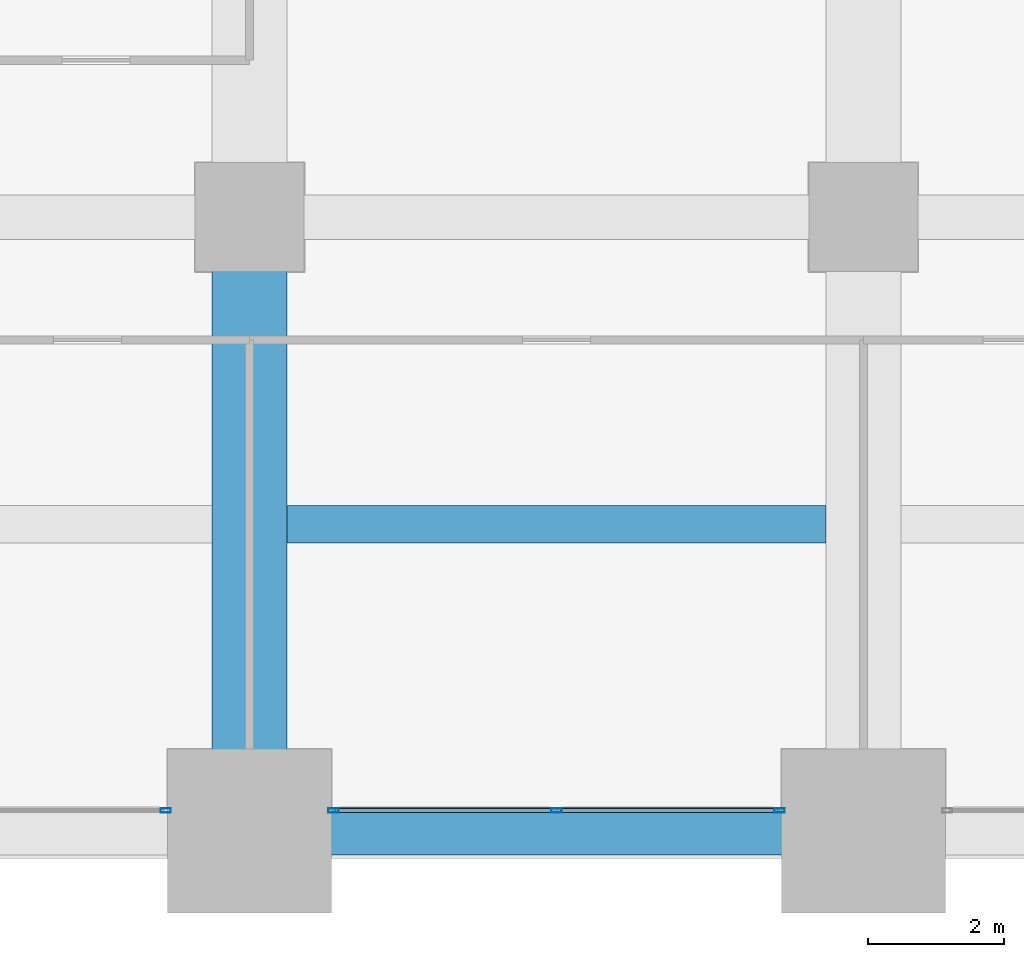
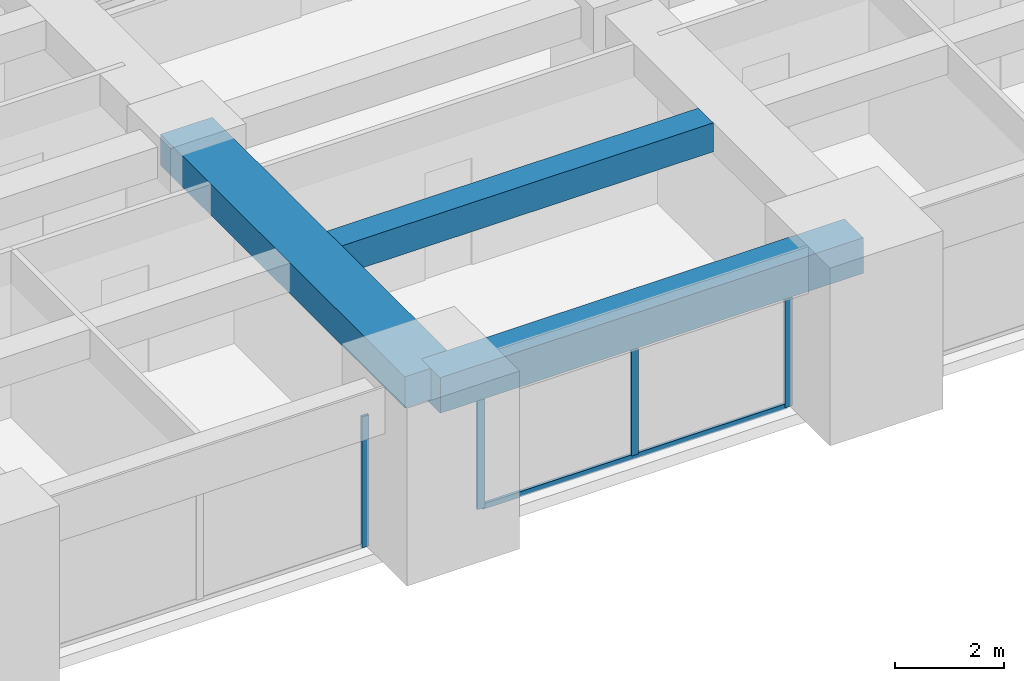
# One storey, part 6 of 34: 5 members, 3 beams, 2 elements without a shape of their own.
"""IFC4 building model written with IfcOpenShell, lengths in metres."""

from ifc_helpers import new_model, si_unit, direction, frame, origin, origin_2d, place, context, subcontext, project, spatial, rectangle, hollow_rectangle, extrude, material, material_profile, profile_set, type_object, element, aggregate, save


model = new_model("IFC4")

# Units and contexts
model_context = context("Model", 3, precision=1e-05, world=origin(), true_north=direction((0.0, 1.0)))
body_context = subcontext(model_context, "Body", "Model", "MODEL_VIEW")
ifc_project = project(units=[si_unit("LENGTHUNIT", "METRE"), si_unit("AREAUNIT", "SQUARE_METRE"), si_unit("VOLUMEUNIT", "CUBIC_METRE"), si_unit("PLANEANGLEUNIT", "RADIAN"), si_unit("MASSUNIT", "GRAM", prefix="KILO")], contexts=[model_context])

# Site, building, storey
site_placement = place(None, origin())
site = spatial("IfcSite", under=ifc_project, at=site_placement, CompositionType="ELEMENT")
building_placement = place(site_placement, origin())
building = spatial("IfcBuilding", under=site, at=building_placement, Name="Zorevar Civic Tower", CompositionType="ELEMENT")
storey_placement = place(building_placement, frame((0.0, 0.0, 170.199951171875)))
storey = spatial("IfcBuildingStorey", under=building, at=storey_placement, Name="L41", CompositionType="ELEMENT", Elevation=170.199951171875)

# Beams
ifc_material_1 = material(Name="Concrete C50/60", Category="concrete")
ifc_material_profile_1 = material_profile(ifc_material_1, rectangle(XDim=1.10009765625, YDim=0.699951171875, at=origin_2d()), Name="RC 1100x700")
ifc_profile_set_1 = profile_set([ifc_material_profile_1], Name="Concrete C50/60")
beam_type_1 = type_object("IfcBeamType", Name="Beam RC 1100x700", PredefinedType="BEAM", material=ifc_profile_set_1)
beam_1_placement = place(storey_placement, frame((18.0, 0.0, 3.400146484375), z_axis=(0.0, 1.0, 0.0), x_axis=(-1.0, 0.0, 0.0)))
element("IfcBeam", 1, at=beam_1_placement, inside=storey, type_object=beam_type_1, Name="Girder L42", PredefinedType="BEAM", context=body_context, shape_type="SweptSolid", body=[
    extrude(rectangle(XDim=1.10009765625, YDim=0.699951171875, at=origin_2d()), origin(), (0.0, 0.0, 1.0), 9.0),
])
ifc_material_2 = material(Name="Concrete C50/60", Category="concrete")
ifc_material_profile_2 = material_profile(ifc_material_2, rectangle(XDim=0.550048828125, YDim=0.64990234375, at=origin_2d()), Name="RC 550x650")
ifc_profile_set_2 = profile_set([ifc_material_profile_2], Name="Concrete C50/60")
beam_type_2 = type_object("IfcBeamType", Name="Beam RC 550x650", PredefinedType="BEAM", material=ifc_profile_set_2)
beam_2_placement = place(storey_placement, frame((18.550048828125, 4.5, 3.425048828125), z_axis=(1.0, 0.0, 0.0), x_axis=(0.0, 1.0, 0.0)))
element("IfcBeam", 2, at=beam_2_placement, inside=storey, type_object=beam_type_2, Name="Secondary beam L42", PredefinedType="BEAM", context=body_context, shape_type="SweptSolid", body=[
    extrude(rectangle(XDim=0.550048828125, YDim=0.64990234375, at=origin_2d()), origin(), (0.0, 0.0, 1.0), 7.89990234375),
])

# Curtain wall, member
ifc_material_3 = material(Name="Dark grey solar-control glass in black aluminium frame", Category="aluminium")
curtain_wall_type = type_object("IfcCurtainWallType", Name="Curtain wall CW4 high zone", PredefinedType="NOTDEFINED", material=ifc_material_3)
curtain_wall_1_placement = place(storey_placement, origin())
curtain_wall_1 = element("IfcCurtainWall", 3, at=curtain_wall_1_placement, inside=storey, type_object=curtain_wall_type, Name="CW4 L41", PredefinedType="NOTDEFINED")
ifc_material_4 = material(Name="Aluminium, black anodised", Category="aluminium")
ifc_material_profile_3 = material_profile(ifc_material_4, hollow_rectangle(XDim=0.06005859375, YDim=0.14990234375, WallThickness=0.00390625, at=origin_2d()), Name="AL 150x60x4")
ifc_profile_set_3 = profile_set([ifc_material_profile_3], Name="Aluminium, black anodised")
member_type_1 = type_object("IfcMemberType", Name="CW4 mullion AL 150x60x4", PredefinedType="MULLION", material=ifc_profile_set_3)
member_1_placement = place(storey_placement, frame((16.77001953125, 0.300048828125, 0.0), z_axis=(0.0, 0.0, 1.0), x_axis=(0.0, 1.0, 0.0)))
member_1 = element("IfcMember", 4, at=member_1_placement, type_object=member_type_1, Name="CW4 mullion 3", PredefinedType="MULLION", context=body_context, shape_type="SweptSolid", body=[
    extrude(hollow_rectangle(XDim=0.06005859375, YDim=0.14990234375, WallThickness=0.00390625, at=origin_2d()), origin(), (0.0, 0.0, 1.0), 2.949951171875),
])
aggregate(curtain_wall_1, [member_1])

# Curtain wall, members
curtain_wall_2_placement = place(storey_placement, origin())
curtain_wall_2 = element("IfcCurtainWall", 5, at=curtain_wall_2_placement, inside=storey, type_object=curtain_wall_type, Name="CW4 L41", PredefinedType="NOTDEFINED")
member_2_placement = place(storey_placement, frame((19.22998046875, 0.300048828125, 0.0), z_axis=(0.0, 0.0, 1.0), x_axis=(0.0, 1.0, 0.0)))
member_2 = element("IfcMember", 6, at=member_2_placement, type_object=member_type_1, Name="CW4 mullion 1", PredefinedType="MULLION", context=body_context, shape_type="SweptSolid", body=[
    extrude(hollow_rectangle(XDim=0.06005859375, YDim=0.14990234375, WallThickness=0.00390625, at=origin_2d()), origin(), (0.0, 0.0, 1.0), 2.949951171875),
])
member_3_placement = place(storey_placement, frame((22.5, 0.300048828125, 0.06005859375), z_axis=(0.0, 0.0, 1.0), x_axis=(0.0, 1.0, 0.0)))
member_3 = element("IfcMember", 7, at=member_3_placement, type_object=member_type_1, Name="CW4 mullion 2", PredefinedType="MULLION", context=body_context, shape_type="SweptSolid", body=[
    extrude(hollow_rectangle(XDim=0.06005859375, YDim=0.14990234375, WallThickness=0.00390625, at=origin_2d()), origin(), (0.0, 0.0, 1.0), 2.889892578125),
])
member_4_placement = place(storey_placement, frame((25.77001953125, 0.300048828125, 0.0), z_axis=(0.0, 0.0, 1.0), x_axis=(0.0, 1.0, 0.0)))
member_4 = element("IfcMember", 8, at=member_4_placement, type_object=member_type_1, Name="CW4 mullion 3", PredefinedType="MULLION", context=body_context, shape_type="SweptSolid", body=[
    extrude(hollow_rectangle(XDim=0.06005859375, YDim=0.14990234375, WallThickness=0.00390625, at=origin_2d()), origin(), (0.0, 0.0, 1.0), 2.949951171875),
])
ifc_material_5 = material(Name="Aluminium, black anodised", Category="aluminium")
ifc_material_profile_4 = material_profile(ifc_material_5, hollow_rectangle(XDim=0.06005859375, YDim=0.1201171875, WallThickness=0.0029296875, at=origin_2d()), Name="AL 120x60x3")
ifc_profile_set_4 = profile_set([ifc_material_profile_4], Name="Aluminium, black anodised")
member_type_2 = type_object("IfcMemberType", Name="CW4 transom AL 120x60x3", PredefinedType="USERDEFINED", material=ifc_profile_set_4)
member_5_placement = place(storey_placement, frame((19.260009765625, 0.300048828125, 0.030029296875), z_axis=(1.0, 0.0, 0.0), x_axis=(0.0, 1.0, 0.0)))
member_5 = element("IfcMember", 9, at=member_5_placement, type_object=member_type_2, Name="CW4 sill transom", ObjectType="TRANSOM", PredefinedType="USERDEFINED", context=body_context, shape_type="SweptSolid", body=[
    extrude(hollow_rectangle(XDim=0.06005859375, YDim=0.1201171875, WallThickness=0.0029296875, at=origin_2d()), origin(), (0.0, 0.0, 1.0), 6.47998046875),
])
aggregate(curtain_wall_2, [member_2, member_3, member_4, member_5])

# Beam
ifc_material_6 = material(Name="Concrete C50/60", Category="concrete")
ifc_material_profile_5 = material_profile(ifc_material_6, rectangle(XDim=0.699951171875, YDim=0.800048828125, at=origin_2d()), Name="RC 700x800")
ifc_profile_set_5 = profile_set([ifc_material_profile_5], Name="Concrete C50/60")
beam_type_3 = type_object("IfcBeamType", Name="Edge beam RC 700x800", PredefinedType="SPANDREL", material=ifc_profile_set_5)
beam_3_placement = place(storey_placement, frame((18.0, 0.0, 3.35009765625), z_axis=(1.0, 0.0, 0.0), x_axis=(0.0, 1.0, 0.0)))
element("IfcBeam", 10, at=beam_3_placement, inside=storey, type_object=beam_type_3, Name="Edge beam L42", PredefinedType="SPANDREL", context=body_context, shape_type="SweptSolid", body=[
    extrude(rectangle(XDim=0.699951171875, YDim=0.800048828125, at=origin_2d()), origin(), (0.0, 0.0, 1.0), 9.0),
])

save(model, "model.ifc")
